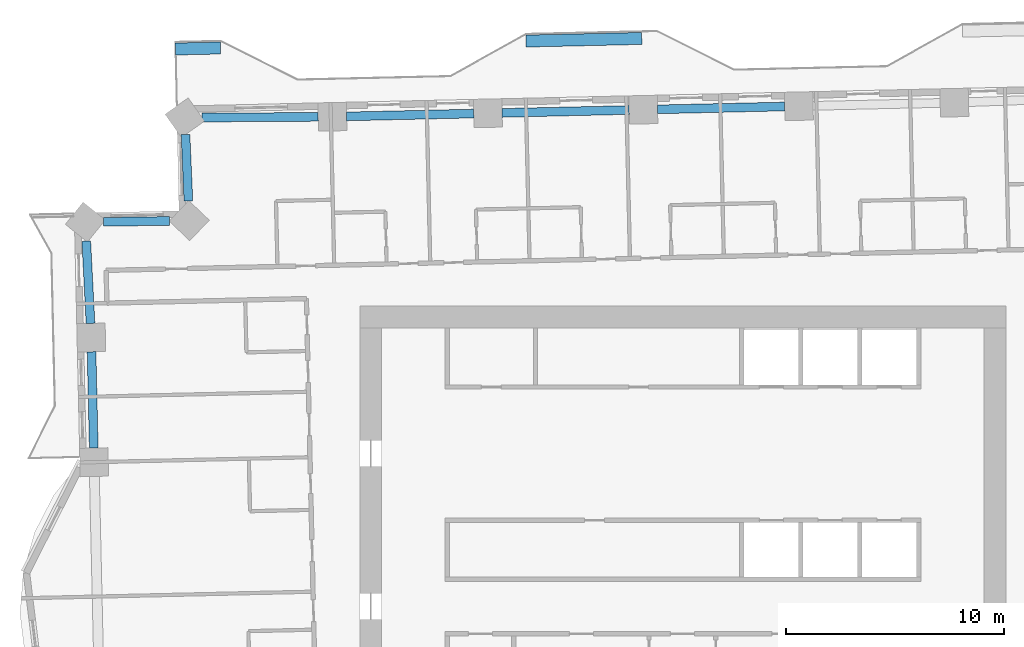
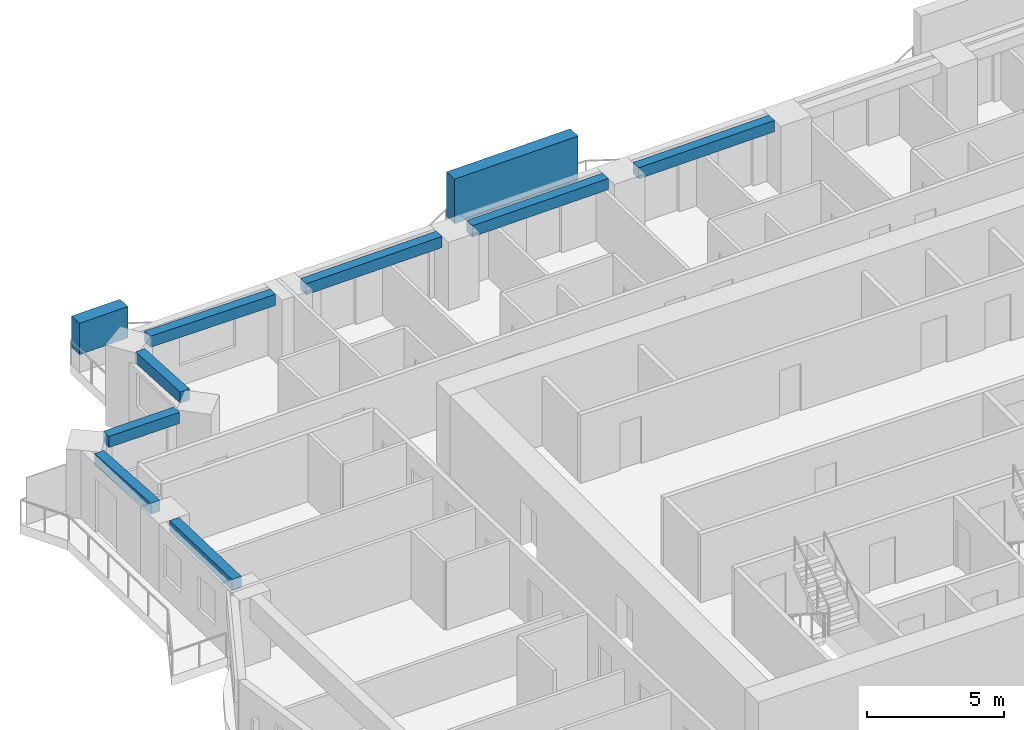
# One storey, part 3 of 16: 8 beams, 2 members.
"""IFC4 building model written with IfcOpenShell, lengths in metres."""

from ifc_helpers import new_model, si_unit, direction, frame, origin, origin_2d, place, context, subcontext, project, spatial, rectangle, extrude, material, material_profile, profile_set, type_object, element, save


model = new_model("IFC4")

# Units and contexts
model_context = context("Model", 3, precision=1e-05, world=origin(), true_north=direction((0.0, 1.0)))
body_context = subcontext(model_context, "Body", "Model", "MODEL_VIEW")
ifc_project = project(units=[si_unit("LENGTHUNIT", "METRE"), si_unit("AREAUNIT", "SQUARE_METRE"), si_unit("VOLUMEUNIT", "CUBIC_METRE"), si_unit("PLANEANGLEUNIT", "RADIAN"), si_unit("MASSUNIT", "GRAM", prefix="KILO")], contexts=[model_context])

# Site, building, storey
site_placement = place(None, origin())
site = spatial("IfcSite", under=ifc_project, at=site_placement, CompositionType="ELEMENT")
building_placement = place(site_placement, origin())
building = spatial("IfcBuilding", under=site, at=building_placement, Name="Mangrove Gate Tower", CompositionType="ELEMENT")
storey_placement = place(building_placement, frame((0.0, 0.0, 133.699951171875)))
storey = spatial("IfcBuildingStorey", under=building, at=storey_placement, Name="L33", CompositionType="ELEMENT", Elevation=133.699951171875)

# Members
ifc_material_1 = material(Name="Planting on aluminium trellis", Category="aluminium")
ifc_material_profile_1 = material_profile(ifc_material_1, rectangle(XDim=0.550048828125, YDim=1.39990234375, at=origin_2d()))
ifc_profile_set_1 = profile_set([ifc_material_profile_1], Name="Planting on aluminium trellis")
member_type_1 = type_object("IfcMemberType", Name="Balcony greenery screen 550x1400", PredefinedType="USERDEFINED", material=ifc_profile_set_1)
member_1_placement = place(storey_placement, frame((-23.25, 23.580078125, 1.5), z_axis=(0.999743960655, 0.022627707232, 0.0), x_axis=(-0.022627707232, 0.999743960655, 0.0)))
element("IfcMember", 1, at=member_1_placement, inside=storey, type_object=member_type_1, Name="GREEN SCREEN L33 N1.1", ObjectType="PLANTING", PredefinedType="USERDEFINED", context=body_context, shape_type="SweptSolid", body=[
    extrude(rectangle(XDim=0.550048828125, YDim=1.39990234375, at=origin_2d()), origin(), (0.0, 0.0, 1.0), 2.071533203125),
])
ifc_material_2 = material(Name="Planting on aluminium trellis", Category="aluminium")
ifc_material_profile_2 = material_profile(ifc_material_2, rectangle(XDim=0.550048828125, YDim=2.0, at=origin_2d()))
ifc_profile_set_2 = profile_set([ifc_material_profile_2], Name="Planting on aluminium trellis")
member_type_2 = type_object("IfcMemberType", Name="Balcony greenery screen 550x2000", PredefinedType="USERDEFINED", material=ifc_profile_set_2)
member_2_placement = place(storey_placement, frame((-7.181884765625, 23.945068359375, 1.800048828125), z_axis=(0.999744113838, 0.022620938244, 0.0), x_axis=(-0.022620938244, 0.999744113838, 0.0)))
element("IfcMember", 2, at=member_2_placement, inside=storey, type_object=member_type_2, Name="GREEN SCREEN L33 N1.2", ObjectType="PLANTING", PredefinedType="USERDEFINED", context=body_context, shape_type="SweptSolid", body=[
    extrude(rectangle(XDim=0.550048828125, YDim=2.0, at=origin_2d()), origin(), (0.0, 0.0, 1.0), 5.29931640625),
])

# Beams
ifc_material_3 = material(Name="Concrete C50/60", Category="concrete")
ifc_material_profile_3 = material_profile(ifc_material_3, rectangle(XDim=0.39990234375, YDim=0.5, at=origin_2d()))
ifc_profile_set_3 = profile_set([ifc_material_profile_3], Name="Concrete C50/60")
beam_type = type_object("IfcBeamType", Name="Edge beam RC 400x500 C50/60", PredefinedType="BEAM", material=ifc_profile_set_3)
beam_1_placement = place(storey_placement, frame((4.662841796875, 20.947509765625, 2.800048828125), z_axis=(-0.999744684453, -0.022595705507, 0.0), x_axis=(0.022595705507, -0.999744684453, 0.0)))
element("IfcBeam", 3, at=beam_1_placement, inside=storey, type_object=beam_type, Name="Edge beam L33 21", PredefinedType="BEAM", context=body_context, shape_type="SweptSolid", body=[
    extrude(rectangle(XDim=0.39990234375, YDim=0.5, at=origin_2d()), origin(), (0.0, 0.0, 1.0), 5.82373046875),
])
beam_2_placement = place(storey_placement, frame((-2.458984375, 20.786376953125, 2.800048828125), z_axis=(-0.999741857186, -0.022720453126, 0.0), x_axis=(0.022720453126, -0.999741857186, 0.0)))
element("IfcBeam", 4, at=beam_2_placement, inside=storey, type_object=beam_type, Name="Edge beam L33 22", PredefinedType="BEAM", context=body_context, shape_type="SweptSolid", body=[
    extrude(rectangle(XDim=0.39990234375, YDim=0.5, at=origin_2d()), origin(), (0.0, 0.0, 1.0), 5.823974609375),
])
beam_3_placement = place(storey_placement, frame((-9.5810546875, 20.62451171875, 2.800048828125), z_axis=(-0.999744684453, -0.022595705507, 0.0), x_axis=(0.022595705507, -0.999744684453, 0.0)))
element("IfcBeam", 5, at=beam_3_placement, inside=storey, type_object=beam_type, Name="Edge beam L33 23", PredefinedType="BEAM", context=body_context, shape_type="SweptSolid", body=[
    extrude(rectangle(XDim=0.39990234375, YDim=0.5, at=origin_2d()), origin(), (0.0, 0.0, 1.0), 5.82373046875),
])
beam_4_placement = place(storey_placement, frame((-16.703369140625, 20.47412109375, 2.800048828125), z_axis=(-0.999979944176, -0.006333343995, 0.0), x_axis=(0.006333343995, -0.999979944176, 0.0)))
element("IfcBeam", 6, at=beam_4_placement, inside=storey, type_object=beam_type, Name="Edge beam L33 24", PredefinedType="BEAM", context=body_context, shape_type="SweptSolid", body=[
    extrude(rectangle(XDim=0.39990234375, YDim=0.5, at=origin_2d()), origin(), (0.0, 0.0, 1.0), 5.319580078125),
])
beam_5_placement = place(storey_placement, frame((-22.7822265625, 19.662841796875, 2.800048828125), z_axis=(0.04309999765, -0.999070763361, 0.0), x_axis=(0.999070763361, 0.04309999765, 0.0)))
element("IfcBeam", 7, at=beam_5_placement, inside=storey, type_object=beam_type, Name="Edge beam L33 25", PredefinedType="BEAM", context=body_context, shape_type="SweptSolid", body=[
    extrude(rectangle(XDim=0.39990234375, YDim=0.5, at=origin_2d()), origin(), (0.0, 0.0, 1.0), 3.047607421875),
])
beam_6_placement = place(storey_placement, frame((-23.523193359375, 15.705078125, 2.800048828125), z_axis=(-0.999902574754, -0.013958545805, 0.0), x_axis=(0.013958545805, -0.999902574754, 0.0)))
element("IfcBeam", 8, at=beam_6_placement, inside=storey, type_object=beam_type, Name="Edge beam L33 26", PredefinedType="BEAM", context=body_context, shape_type="SweptSolid", body=[
    extrude(rectangle(XDim=0.39990234375, YDim=0.5, at=origin_2d()), origin(), (0.0, 0.0, 1.0), 3.00830078125),
])
beam_7_placement = place(storey_placement, frame((-27.3291015625, 14.781982421875, 2.800048828125), z_axis=(0.05146940493, -0.998674571798, 0.0), x_axis=(0.998674571798, 0.05146940493, 0.0)))
element("IfcBeam", 9, at=beam_7_placement, inside=storey, type_object=beam_type, Name="Edge beam L33 27", PredefinedType="BEAM", context=body_context, shape_type="SweptSolid", body=[
    extrude(rectangle(XDim=0.39990234375, YDim=0.5, at=origin_2d()), origin(), (0.0, 0.0, 1.0), 3.775634765625),
])
beam_8_placement = place(storey_placement, frame((-27.08642578125, 9.7119140625, 2.800048828125), z_axis=(0.022745290406, -0.999741292417, 0.0), x_axis=(0.999741292417, 0.022745290406, 0.0)))
element("IfcBeam", 10, at=beam_8_placement, inside=storey, type_object=beam_type, Name="Edge beam L33 28", PredefinedType="BEAM", context=body_context, shape_type="SweptSolid", body=[
    extrude(rectangle(XDim=0.39990234375, YDim=0.5, at=origin_2d()), origin(), (0.0, 0.0, 1.0), 4.41162109375),
])

save(model, "model.ifc")
